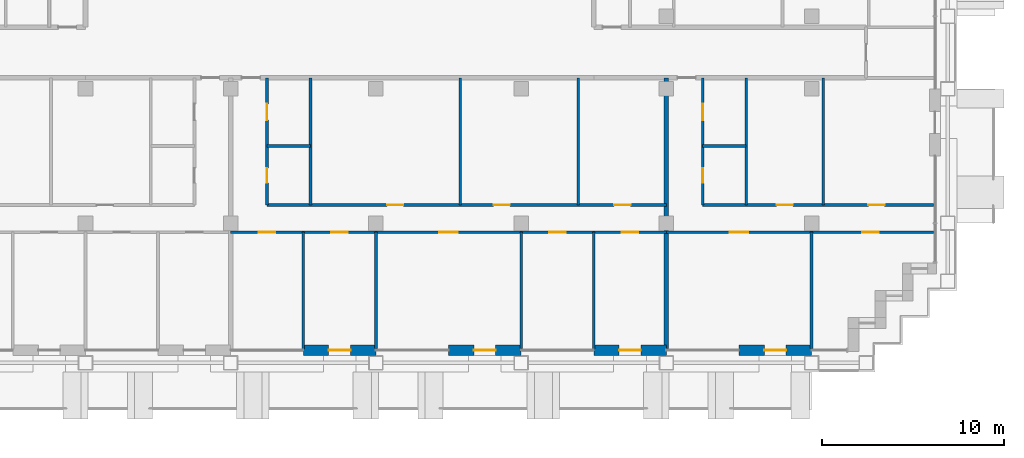
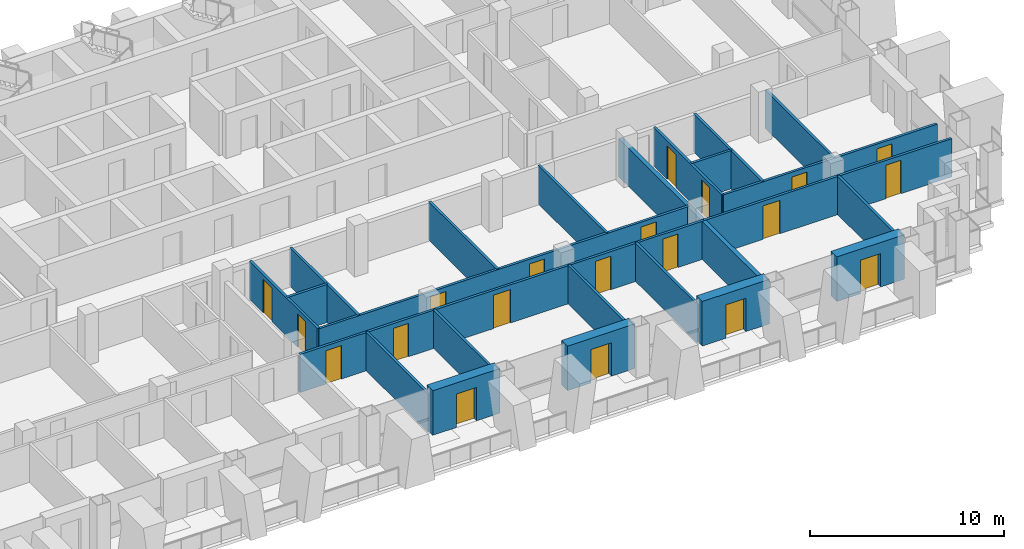
# One storey, part 9 of 17: 23 walls, 20 doors, 20 openings.
"""IFC4 building model written with IfcOpenShell, lengths in metres."""

from ifc_helpers import new_model, si_unit, direction, frame, frame_2d, origin, place, context, subcontext, project, spatial, rectangle, extrude, material, layer, layer_set, type_object, element, fill, save


model = new_model("IFC4")

# Units and contexts
model_context = context("Model", 3, precision=1e-05, world=origin(), true_north=direction((0.0, 1.0)))
body_context = subcontext(model_context, "Body", "Model", "MODEL_VIEW")
ifc_project = project(units=[si_unit("LENGTHUNIT", "METRE"), si_unit("AREAUNIT", "SQUARE_METRE"), si_unit("VOLUMEUNIT", "CUBIC_METRE"), si_unit("PLANEANGLEUNIT", "RADIAN"), si_unit("MASSUNIT", "GRAM", prefix="KILO")], contexts=[model_context])

# Site, building, storey
site_placement = place(None, origin())
site = spatial("IfcSite", under=ifc_project, at=site_placement, CompositionType="ELEMENT")
building_placement = place(site_placement, origin())
building = spatial("IfcBuilding", under=site, at=building_placement, Name="Vidyagriha Tower", CompositionType="ELEMENT")
storey_placement = place(building_placement, frame((0.0, 0.0, 148.60009765625)))
storey = spatial("IfcBuildingStorey", under=building, at=storey_placement, Name="L39", CompositionType="ELEMENT", Elevation=148.60009765625)

# Wall, opening, door
ifc_material_1 = material(Name="Precast concrete C40/50 with brick facing", Category="concrete")
ifc_layer_1 = layer(ifc_material_1, 0.60009765625)
ifc_layer_set_1 = layer_set([ifc_layer_1], Name="Precast concrete C40/50 with brick facing")
wall_type_1 = type_object("IfcWallType", Name="Brick-faced precast wall 600", PredefinedType="STANDARD", material=ifc_layer_set_1)
wall_1_placement = place(storey_placement, frame((-2.0, -16.39990234375, 0.0)))
wall_1 = element("IfcWall", 1, at=wall_1_placement, inside=storey, type_object=wall_type_1, Name="Brick door bay wall L39 R23.8", PredefinedType="STANDARD", context=body_context, shape_type="SweptSolid", body=[
    extrude(rectangle(XDim=4.0, YDim=0.60009765625, at=frame_2d((2.0, 0.0))), origin(), (0.0, 0.0, 1.0), 2.7998046875),
])
opening_1_placement = place(wall_1_placement, frame((1.39990234375, 0.0, 0.0)))
opening_1 = element("IfcOpeningElement", 2, at=opening_1_placement, cuts=wall_1, Name="Opening D39-71", PredefinedType="OPENING", context=body_context, shape_type="SweptSolid", body=[
    extrude(rectangle(XDim=1.199951171875, YDim=2.10009765625, at=frame_2d((0.60009765625, 1.050048828125))), frame((0.0, 0.31005859375, 0.0), z_axis=(0.0, -1.0, 0.0), x_axis=(1.0, 0.0, 0.0)), (0.0, 0.0, 1.0), 0.6201171875),
])
ifc_material_2 = material(Name="Aluminium framed glazed sliding door", Category="aluminium")
door_type_1 = type_object("IfcDoorType", Name="Balcony sliding door 1200x2100", OperationType="NOTDEFINED", PredefinedType="DOOR", material=ifc_material_2)
door_1_placement = place(opening_1_placement, origin())
door_1 = element("IfcDoor", 3, at=door_1_placement, inside=storey, type_object=door_type_1, Name="Door D39-71", OperationType="SLIDING_TO_LEFT", OverallHeight=2.10009765625, OverallWidth=1.199951171875, PredefinedType="DOOR", context=body_context, shape_type="SweptSolid", body=[
    extrude(rectangle(XDim=1.199951171875, YDim=2.10009765625, at=frame_2d((0.60009765625, 1.050048828125))), frame((0.0, 0.02490234375, 0.0), z_axis=(0.0, -1.0, 0.0), x_axis=(1.0, 0.0, 0.0)), (0.0, 0.0, 1.0), 0.050048828125),
])
fill(opening_1, door_1)

wall_2_placement = place(storey_placement, frame((6.0, -16.39990234375, 0.0)))
wall_2 = element("IfcWall", 4, at=wall_2_placement, inside=storey, type_object=wall_type_1, Name="Brick door bay wall L39 R23.10", PredefinedType="STANDARD", context=body_context, shape_type="SweptSolid", body=[
    extrude(rectangle(XDim=4.0, YDim=0.60009765625, at=frame_2d((2.0, 0.0))), origin(), (0.0, 0.0, 1.0), 2.7998046875),
])
opening_2_placement = place(wall_2_placement, frame((1.39990234375, 0.0, 0.0)))
opening_2 = element("IfcOpeningElement", 5, at=opening_2_placement, cuts=wall_2, Name="Opening D39-72", PredefinedType="OPENING", context=body_context, shape_type="SweptSolid", body=[
    extrude(rectangle(XDim=1.199951171875, YDim=2.10009765625, at=frame_2d((0.60009765625, 1.050048828125))), frame((0.0, 0.31005859375, 0.0), z_axis=(0.0, -1.0, 0.0), x_axis=(1.0, 0.0, 0.0)), (0.0, 0.0, 1.0), 0.6201171875),
])
door_2_placement = place(opening_2_placement, origin())
door_2 = element("IfcDoor", 6, at=door_2_placement, inside=storey, type_object=door_type_1, Name="Door D39-72", OperationType="SLIDING_TO_LEFT", OverallHeight=2.10009765625, OverallWidth=1.199951171875, PredefinedType="DOOR", context=body_context, shape_type="SweptSolid", body=[
    extrude(rectangle(XDim=1.199951171875, YDim=2.10009765625, at=frame_2d((0.60009765625, 1.050048828125))), frame((0.0, 0.02490234375, 0.0), z_axis=(0.0, -1.0, 0.0), x_axis=(1.0, 0.0, 0.0)), (0.0, 0.0, 1.0), 0.050048828125),
])
fill(opening_2, door_2)

wall_3_placement = place(storey_placement, frame((14.0, -16.39990234375, 0.0)))
wall_3 = element("IfcWall", 7, at=wall_3_placement, inside=storey, type_object=wall_type_1, Name="Brick door bay wall L39 R23.12", PredefinedType="STANDARD", context=body_context, shape_type="SweptSolid", body=[
    extrude(rectangle(XDim=4.0, YDim=0.60009765625, at=frame_2d((2.0, 0.0))), origin(), (0.0, 0.0, 1.0), 2.7998046875),
])
opening_3_placement = place(wall_3_placement, frame((1.39990234375, 0.0, 0.0)))
opening_3 = element("IfcOpeningElement", 8, at=opening_3_placement, cuts=wall_3, Name="Opening D39-73", PredefinedType="OPENING", context=body_context, shape_type="SweptSolid", body=[
    extrude(rectangle(XDim=1.199951171875, YDim=2.10009765625, at=frame_2d((0.60009765625, 1.050048828125))), frame((0.0, 0.31005859375, 0.0), z_axis=(0.0, -1.0, 0.0), x_axis=(1.0, 0.0, 0.0)), (0.0, 0.0, 1.0), 0.6201171875),
])
door_3_placement = place(opening_3_placement, origin())
door_3 = element("IfcDoor", 9, at=door_3_placement, inside=storey, type_object=door_type_1, Name="Door D39-73", OperationType="SLIDING_TO_LEFT", OverallHeight=2.10009765625, OverallWidth=1.199951171875, PredefinedType="DOOR", context=body_context, shape_type="SweptSolid", body=[
    extrude(rectangle(XDim=1.199951171875, YDim=2.10009765625, at=frame_2d((0.60009765625, 1.050048828125))), frame((0.0, 0.02490234375, 0.0), z_axis=(0.0, -1.0, 0.0), x_axis=(1.0, 0.0, 0.0)), (0.0, 0.0, 1.0), 0.050048828125),
])
fill(opening_3, door_3)

wall_4_placement = place(storey_placement, frame((22.0, -16.39990234375, 0.0)))
wall_4 = element("IfcWall", 10, at=wall_4_placement, inside=storey, type_object=wall_type_1, Name="Brick door bay wall L39 R23.14", PredefinedType="STANDARD", context=body_context, shape_type="SweptSolid", body=[
    extrude(rectangle(XDim=4.0, YDim=0.60009765625, at=frame_2d((2.0, 0.0))), origin(), (0.0, 0.0, 1.0), 2.7998046875),
])
opening_4_placement = place(wall_4_placement, frame((1.39990234375, 0.0, 0.0)))
opening_4 = element("IfcOpeningElement", 11, at=opening_4_placement, cuts=wall_4, Name="Opening D39-74", PredefinedType="OPENING", context=body_context, shape_type="SweptSolid", body=[
    extrude(rectangle(XDim=1.199951171875, YDim=2.10009765625, at=frame_2d((0.60009765625, 1.050048828125))), frame((0.0, 0.31005859375, 0.0), z_axis=(0.0, -1.0, 0.0), x_axis=(1.0, 0.0, 0.0)), (0.0, 0.0, 1.0), 0.6201171875),
])
door_4_placement = place(opening_4_placement, origin())
door_4 = element("IfcDoor", 12, at=door_4_placement, inside=storey, type_object=door_type_1, Name="Door D39-74", OperationType="SLIDING_TO_LEFT", OverallHeight=2.10009765625, OverallWidth=1.199951171875, PredefinedType="DOOR", context=body_context, shape_type="SweptSolid", body=[
    extrude(rectangle(XDim=1.199951171875, YDim=2.10009765625, at=frame_2d((0.60009765625, 1.050048828125))), frame((0.0, 0.02490234375, 0.0), z_axis=(0.0, -1.0, 0.0), x_axis=(1.0, 0.0, 0.0)), (0.0, 0.0, 1.0), 0.050048828125),
])
fill(opening_4, door_4)

# Walls
ifc_material_3 = material(Name="Fired clay brick masonry", Category="masonry")
ifc_layer_2 = layer(ifc_material_3, 0.25)
ifc_layer_set_2 = layer_set([ifc_layer_2], Name="Fired clay brick masonry")
wall_type_2 = type_object("IfcWallType", Name="Fired clay brick demising wall 250", PredefinedType="PARTITIONING", material=ifc_layer_set_2)
wall_5_placement = place(storey_placement, frame((18.0, -1.39990234375, 0.0), z_axis=(0.0, 0.0, 1.0), x_axis=(0.0, -1.0, 0.0)))
element("IfcWall", 13, at=wall_5_placement, inside=storey, type_object=wall_type_2, Name="Wall all-L39-w060", PredefinedType="PARTITIONING", context=body_context, shape_type="SweptSolid", body=[
    extrude(rectangle(XDim=14.91015625, YDim=0.25, at=frame_2d((7.455078125, 0.0))), origin(), (0.0, 0.0, 1.0), 2.39990234375),
])
ifc_material_4 = material(Name="Gypsum board partition")
ifc_layer_3 = layer(ifc_material_4, 0.14990234375)
ifc_layer_set_3 = layer_set([ifc_layer_3], Name="Gypsum board partition")
wall_type_3 = type_object("IfcWallType", Name="Gypsum board partition 150", PredefinedType="PARTITIONING", material=ifc_layer_set_3)
wall_6_placement = place(storey_placement, frame((-1.60009765625, -5.14990234375, 0.0), z_axis=(0.0, 0.0, 1.0), x_axis=(-1.0, 0.0, 0.0)))
element("IfcWall", 14, at=wall_6_placement, inside=storey, type_object=wall_type_3, Name="Wall all-L39-w026", PredefinedType="PARTITIONING", context=body_context, shape_type="SweptSolid", body=[
    extrude(rectangle(XDim=2.39990234375, YDim=0.14990234375, at=frame_2d((1.199951171875, 0.0))), origin(), (0.0, 0.0, 1.0), 2.39990234375),
])
for number, where, z_axis, x_axis, name in (
    (15, (-1.60009765625, -1.39990234375, 0.0), (0.0, 0.0, 1.0), (0.0, -1.0, 0.0), "Wall all-L39-w027"),
    (16, (6.64990234375, -1.39990234375, 0.0), (0.0, 0.0, 1.0), (0.0, -1.0, 0.0), "Wall all-L39-w028"),
    (17, (13.14990234375, -1.39990234375, 0.0), (0.0, 0.0, 1.0), (0.0, -1.0, 0.0), "Wall all-L39-w029"),
):
    element("IfcWall", number, at=place(storey_placement, frame(where, z_axis=z_axis, x_axis=x_axis)), inside=storey, type_object=wall_type_3, Name=name, PredefinedType="PARTITIONING", context=body_context, shape_type="SweptSolid", body=[
        extrude(rectangle(XDim=7.0, YDim=0.14990234375, at=frame_2d((3.5, 0.0))), origin(), (0.0, 0.0, 1.0), 2.39990234375),
    ])

# Wall, openings, doors
wall_7_placement = place(storey_placement, frame((-4.0, -8.39990234375, 0.0)))
wall_7 = element("IfcWall", 18, at=wall_7_placement, inside=storey, type_object=wall_type_3, Name="Wall all-L39-w030", PredefinedType="PARTITIONING", context=body_context, shape_type="SweptSolid", body=[
    extrude(rectangle(XDim=22.0, YDim=0.14990234375, at=frame_2d((11.0, 0.0))), origin(), (0.0, 0.0, 1.0), 2.39990234375),
])
opening_5_placement = place(wall_7_placement, frame((6.617919921875, 0.0, 0.0)))
opening_5 = element("IfcOpeningElement", 19, at=opening_5_placement, cuts=wall_7, Name="Opening D39-27", PredefinedType="OPENING", context=body_context, shape_type="SweptSolid", body=[
    extrude(rectangle(XDim=0.89990234375, YDim=2.10009765625, at=frame_2d((0.449951171875, 1.050048828125))), frame((0.0, 0.0849609375, 0.0), z_axis=(0.0, -1.0, 0.0), x_axis=(1.0, 0.0, 0.0)), (0.0, 0.0, 1.0), 0.169921875),
])
opening_6_placement = place(wall_7_placement, frame((12.48193359375, 0.0, 0.0)))
opening_6 = element("IfcOpeningElement", 20, at=opening_6_placement, cuts=wall_7, Name="Opening D39-28", PredefinedType="OPENING", context=body_context, shape_type="SweptSolid", body=[
    extrude(rectangle(XDim=0.89990234375, YDim=2.10009765625, at=frame_2d((0.449951171875, 1.050048828125))), frame((0.0, 0.0849609375, 0.0), z_axis=(0.0, -1.0, 0.0), x_axis=(1.0, 0.0, 0.0)), (0.0, 0.0, 1.0), 0.169921875),
])
opening_7_placement = place(wall_7_placement, frame((19.125, 0.0, 0.0)))
opening_7 = element("IfcOpeningElement", 21, at=opening_7_placement, cuts=wall_7, Name="Opening D39-29", PredefinedType="OPENING", context=body_context, shape_type="SweptSolid", body=[
    extrude(rectangle(XDim=0.89990234375, YDim=2.10009765625, at=frame_2d((0.449951171875, 1.050048828125))), frame((0.0, 0.0849609375, 0.0), z_axis=(0.0, -1.0, 0.0), x_axis=(1.0, 0.0, 0.0)), (0.0, 0.0, 1.0), 0.169921875),
])
ifc_material_5 = material(Name="Timber door leaf", Category="wood")
door_type_2 = type_object("IfcDoorType", Name="Room door 900x2100", OperationType="NOTDEFINED", PredefinedType="DOOR", material=ifc_material_5)
door_5_placement = place(opening_5_placement, origin())
door_5 = element("IfcDoor", 22, at=door_5_placement, inside=storey, type_object=door_type_2, Name="Door D39-27", OperationType="SINGLE_SWING_RIGHT", OverallHeight=2.10009765625, OverallWidth=0.89990234375, PredefinedType="DOOR", context=body_context, shape_type="SweptSolid", body=[
    extrude(rectangle(XDim=0.89990234375, YDim=2.10009765625, at=frame_2d((0.449951171875, 1.050048828125))), frame((0.0, 0.02490234375, 0.0), z_axis=(0.0, -1.0, 0.0), x_axis=(1.0, 0.0, 0.0)), (0.0, 0.0, 1.0), 0.050048828125),
])
fill(opening_5, door_5)
door_6_placement = place(opening_6_placement, origin())
door_6 = element("IfcDoor", 23, at=door_6_placement, inside=storey, type_object=door_type_2, Name="Door D39-28", OperationType="SINGLE_SWING_LEFT", OverallHeight=2.10009765625, OverallWidth=0.89990234375, PredefinedType="DOOR", context=body_context, shape_type="SweptSolid", body=[
    extrude(rectangle(XDim=0.89990234375, YDim=2.10009765625, at=frame_2d((0.449951171875, 1.050048828125))), frame((0.0, 0.02490234375, 0.0), z_axis=(0.0, -1.0, 0.0), x_axis=(1.0, 0.0, 0.0)), (0.0, 0.0, 1.0), 0.050048828125),
])
fill(opening_6, door_6)
door_7_placement = place(opening_7_placement, origin())
door_7 = element("IfcDoor", 24, at=door_7_placement, inside=storey, type_object=door_type_2, Name="Door D39-29", OperationType="SINGLE_SWING_LEFT", OverallHeight=2.10009765625, OverallWidth=0.89990234375, PredefinedType="DOOR", context=body_context, shape_type="SweptSolid", body=[
    extrude(rectangle(XDim=0.89990234375, YDim=2.10009765625, at=frame_2d((0.449951171875, 1.050048828125))), frame((0.0, 0.02490234375, 0.0), z_axis=(0.0, -1.0, 0.0), x_axis=(1.0, 0.0, 0.0)), (0.0, 0.0, 1.0), 0.050048828125),
])
fill(opening_7, door_7)

wall_8_placement = place(storey_placement, frame((18.0, -9.89990234375, 0.0), z_axis=(0.0, 0.0, 1.0), x_axis=(-1.0, 0.0, 0.0)))
wall_8 = element("IfcWall", 25, at=wall_8_placement, inside=storey, type_object=wall_type_3, Name="Wall all-L39-w034", PredefinedType="PARTITIONING", context=body_context, shape_type="SweptSolid", body=[
    extrude(rectangle(XDim=24.0, YDim=0.14990234375, at=frame_2d((12.0, 0.0))), origin(), (0.0, 0.0, 1.0), 2.39990234375),
])
opening_8_placement = place(wall_8_placement, frame((21.550048828125, 0.0, 0.0)))
opening_8 = element("IfcOpeningElement", 26, at=opening_8_placement, cuts=wall_8, Name="Opening D39-30", PredefinedType="OPENING", context=body_context, shape_type="SweptSolid", body=[
    extrude(rectangle(XDim=0.89990234375, YDim=2.10009765625, at=frame_2d((0.449951171875, 1.050048828125))), frame((0.0, 0.0849609375, 0.0), z_axis=(0.0, -1.0, 0.0), x_axis=(1.0, 0.0, 0.0)), (0.0, 0.0, 1.0), 0.169921875),
])
opening_9_placement = place(wall_8_placement, frame((17.550048828125, 0.0, 0.0)))
opening_9 = element("IfcOpeningElement", 27, at=opening_9_placement, cuts=wall_8, Name="Opening D39-31", PredefinedType="OPENING", context=body_context, shape_type="SweptSolid", body=[
    extrude(rectangle(XDim=0.89990234375, YDim=2.10009765625, at=frame_2d((0.449951171875, 1.050048828125))), frame((0.0, 0.0849609375, 0.0), z_axis=(0.0, -1.0, 0.0), x_axis=(1.0, 0.0, 0.0)), (0.0, 0.0, 1.0), 0.169921875),
])
opening_10_placement = place(wall_8_placement, frame((11.5, 0.0, 0.0)))
opening_10 = element("IfcOpeningElement", 28, at=opening_10_placement, cuts=wall_8, Name="Opening D39-32", PredefinedType="OPENING", context=body_context, shape_type="SweptSolid", body=[
    extrude(rectangle(XDim=1.0, YDim=2.10009765625, at=frame_2d((0.5, 1.050048828125))), frame((0.0, 0.0849609375, 0.0), z_axis=(0.0, -1.0, 0.0), x_axis=(1.0, 0.0, 0.0)), (0.0, 0.0, 1.0), 0.169921875),
])
opening_11_placement = place(wall_8_placement, frame((5.550048828125, 0.0, 0.0)))
opening_11 = element("IfcOpeningElement", 29, at=opening_11_placement, cuts=wall_8, Name="Opening D39-33", PredefinedType="OPENING", context=body_context, shape_type="SweptSolid", body=[
    extrude(rectangle(XDim=0.89990234375, YDim=2.10009765625, at=frame_2d((0.449951171875, 1.050048828125))), frame((0.0, 0.0849609375, 0.0), z_axis=(0.0, -1.0, 0.0), x_axis=(1.0, 0.0, 0.0)), (0.0, 0.0, 1.0), 0.169921875),
])
opening_12_placement = place(wall_8_placement, frame((1.550048828125, 0.0, 0.0)))
opening_12 = element("IfcOpeningElement", 30, at=opening_12_placement, cuts=wall_8, Name="Opening D39-34", PredefinedType="OPENING", context=body_context, shape_type="SweptSolid", body=[
    extrude(rectangle(XDim=0.89990234375, YDim=2.10009765625, at=frame_2d((0.449951171875, 1.050048828125))), frame((0.0, 0.0849609375, 0.0), z_axis=(0.0, -1.0, 0.0), x_axis=(1.0, 0.0, 0.0)), (0.0, 0.0, 1.0), 0.169921875),
])
ifc_material_6 = material(Name="Timber door leaf", Category="wood")
door_type_3 = type_object("IfcDoorType", Name="Room door 1000x2100", OperationType="NOTDEFINED", PredefinedType="DOOR", material=ifc_material_6)
door_8_placement = place(opening_10_placement, origin())
door_8 = element("IfcDoor", 31, at=door_8_placement, inside=storey, type_object=door_type_3, Name="Door D39-32", OperationType="SINGLE_SWING_RIGHT", OverallHeight=2.10009765625, OverallWidth=1.0, PredefinedType="DOOR", context=body_context, shape_type="SweptSolid", body=[
    extrude(rectangle(XDim=1.0, YDim=2.10009765625, at=frame_2d((0.5, 1.050048828125))), frame((0.0, 0.02490234375, 0.0), z_axis=(0.0, -1.0, 0.0), x_axis=(1.0, 0.0, 0.0)), (0.0, 0.0, 1.0), 0.050048828125),
])
fill(opening_10, door_8)
door_9_placement = place(opening_8_placement, origin())
door_9 = element("IfcDoor", 32, at=door_9_placement, inside=storey, type_object=door_type_2, Name="Door D39-30", OperationType="SINGLE_SWING_RIGHT", OverallHeight=2.10009765625, OverallWidth=0.89990234375, PredefinedType="DOOR", context=body_context, shape_type="SweptSolid", body=[
    extrude(rectangle(XDim=0.89990234375, YDim=2.10009765625, at=frame_2d((0.449951171875, 1.050048828125))), frame((0.0, 0.02490234375, 0.0), z_axis=(0.0, -1.0, 0.0), x_axis=(1.0, 0.0, 0.0)), (0.0, 0.0, 1.0), 0.050048828125),
])
fill(opening_8, door_9)
door_10_placement = place(opening_9_placement, origin())
door_10 = element("IfcDoor", 33, at=door_10_placement, inside=storey, type_object=door_type_2, Name="Door D39-31", OperationType="SINGLE_SWING_RIGHT", OverallHeight=2.10009765625, OverallWidth=0.89990234375, PredefinedType="DOOR", context=body_context, shape_type="SweptSolid", body=[
    extrude(rectangle(XDim=0.89990234375, YDim=2.10009765625, at=frame_2d((0.449951171875, 1.050048828125))), frame((0.0, 0.02490234375, 0.0), z_axis=(0.0, -1.0, 0.0), x_axis=(1.0, 0.0, 0.0)), (0.0, 0.0, 1.0), 0.050048828125),
])
fill(opening_9, door_10)
door_11_placement = place(opening_11_placement, origin())
door_11 = element("IfcDoor", 34, at=door_11_placement, inside=storey, type_object=door_type_2, Name="Door D39-33", OperationType="SINGLE_SWING_RIGHT", OverallHeight=2.10009765625, OverallWidth=0.89990234375, PredefinedType="DOOR", context=body_context, shape_type="SweptSolid", body=[
    extrude(rectangle(XDim=0.89990234375, YDim=2.10009765625, at=frame_2d((0.449951171875, 1.050048828125))), frame((0.0, 0.02490234375, 0.0), z_axis=(0.0, -1.0, 0.0), x_axis=(1.0, 0.0, 0.0)), (0.0, 0.0, 1.0), 0.050048828125),
])
fill(opening_11, door_11)
door_12_placement = place(opening_12_placement, origin())
door_12 = element("IfcDoor", 35, at=door_12_placement, inside=storey, type_object=door_type_2, Name="Door D39-34", OperationType="SINGLE_SWING_RIGHT", OverallHeight=2.10009765625, OverallWidth=0.89990234375, PredefinedType="DOOR", context=body_context, shape_type="SweptSolid", body=[
    extrude(rectangle(XDim=0.89990234375, YDim=2.10009765625, at=frame_2d((0.449951171875, 1.050048828125))), frame((0.0, 0.02490234375, 0.0), z_axis=(0.0, -1.0, 0.0), x_axis=(1.0, 0.0, 0.0)), (0.0, 0.0, 1.0), 0.050048828125),
])
fill(opening_12, door_12)

# Walls
wall_9_placement = place(storey_placement, frame((-2.0, -9.89990234375, 0.0), z_axis=(0.0, 0.0, 1.0), x_axis=(0.0, -1.0, 0.0)))
element("IfcWall", 36, at=wall_9_placement, inside=storey, type_object=wall_type_3, Name="Wall all-L39-w040", PredefinedType="PARTITIONING", context=body_context, shape_type="SweptSolid", body=[
    extrude(rectangle(XDim=6.421142578125, YDim=0.14990234375, at=frame_2d((3.21044921875, 0.0))), origin(), (0.0, 0.0, 1.0), 2.39990234375),
])
for number, where, z_axis, x_axis, name in (
    (37, (2.0, -9.89990234375, 0.0), (0.0, 0.0, 1.0), (0.0, -1.0, 0.0), "Wall all-L39-w041"),
    (38, (10.0, -9.89990234375, 0.0), (0.0, 0.0, 1.0), (0.0, -1.0, 0.0), "Wall all-L39-w042"),
):
    element("IfcWall", number, at=place(storey_placement, frame(where, z_axis=z_axis, x_axis=x_axis)), inside=storey, type_object=wall_type_3, Name=name, PredefinedType="PARTITIONING", context=body_context, shape_type="SweptSolid", body=[
        extrude(rectangle(XDim=6.41015625, YDim=0.14990234375, at=frame_2d((3.205078125, 0.0))), origin(), (0.0, 0.0, 1.0), 2.39990234375),
    ])
wall_10_placement = place(storey_placement, frame((14.0, -9.89990234375, 0.0), z_axis=(0.0, 0.0, 1.0), x_axis=(0.0, -1.0, 0.0)))
element("IfcWall", 39, at=wall_10_placement, inside=storey, type_object=wall_type_3, Name="Wall all-L39-w043", PredefinedType="PARTITIONING", context=body_context, shape_type="SweptSolid", body=[
    extrude(rectangle(XDim=6.421142578125, YDim=0.14990234375, at=frame_2d((3.21044921875, 0.0))), origin(), (0.0, 0.0, 1.0), 2.39990234375),
])
wall_11_placement = place(storey_placement, frame((22.39990234375, -5.14990234375, 0.0), z_axis=(0.0, 0.0, 1.0), x_axis=(-1.0, 0.0, 0.0)))
element("IfcWall", 40, at=wall_11_placement, inside=storey, type_object=wall_type_3, Name="Wall all-L39-w049", PredefinedType="PARTITIONING", context=body_context, shape_type="SweptSolid", body=[
    extrude(rectangle(XDim=2.39990234375, YDim=0.14990234375, at=frame_2d((1.199951171875, 0.0))), origin(), (0.0, 0.0, 1.0), 2.39990234375),
])
for number, where, z_axis, x_axis, name in (
    (41, (22.39990234375, -1.39990234375, 0.0), (0.0, 0.0, 1.0), (0.0, -1.0, 0.0), "Wall all-L39-w050"),
    (42, (26.64990234375, -1.39990234375, 0.0), (0.0, 0.0, 1.0), (0.0, -1.0, 0.0), "Wall all-L39-w051"),
):
    element("IfcWall", number, at=place(storey_placement, frame(where, z_axis=z_axis, x_axis=x_axis)), inside=storey, type_object=wall_type_3, Name=name, PredefinedType="PARTITIONING", context=body_context, shape_type="SweptSolid", body=[
        extrude(rectangle(XDim=7.0, YDim=0.14990234375, at=frame_2d((3.5, 0.0))), origin(), (0.0, 0.0, 1.0), 2.39990234375),
    ])

# Wall, openings, doors
wall_12_placement = place(storey_placement, frame((20.0, -8.39990234375, 0.0)))
wall_12 = element("IfcWall", 43, at=wall_12_placement, inside=storey, type_object=wall_type_3, Name="Wall all-L39-w052", PredefinedType="PARTITIONING", context=body_context, shape_type="SweptSolid", body=[
    extrude(rectangle(XDim=12.719970703125, YDim=0.14990234375, at=frame_2d((6.35986328125, 0.0))), origin(), (0.0, 0.0, 1.0), 2.39990234375),
])
opening_13_placement = place(wall_12_placement, frame((4.074951171875, 0.0, 0.0)))
opening_13 = element("IfcOpeningElement", 44, at=opening_13_placement, cuts=wall_12, Name="Opening D39-38", PredefinedType="OPENING", context=body_context, shape_type="SweptSolid", body=[
    extrude(rectangle(XDim=0.89990234375, YDim=2.10009765625, at=frame_2d((0.449951171875, 1.050048828125))), frame((0.0, 0.0849609375, 0.0), z_axis=(0.0, -1.0, 0.0), x_axis=(1.0, 0.0, 0.0)), (0.0, 0.0, 1.0), 0.169921875),
])
opening_14_placement = place(wall_12_placement, frame((9.125, 0.0, 0.0)))
opening_14 = element("IfcOpeningElement", 45, at=opening_14_placement, cuts=wall_12, Name="Opening D39-39", PredefinedType="OPENING", context=body_context, shape_type="SweptSolid", body=[
    extrude(rectangle(XDim=0.89990234375, YDim=2.10009765625, at=frame_2d((0.449951171875, 1.050048828125))), frame((0.0, 0.0849609375, 0.0), z_axis=(0.0, -1.0, 0.0), x_axis=(1.0, 0.0, 0.0)), (0.0, 0.0, 1.0), 0.169921875),
])
door_13_placement = place(opening_13_placement, origin())
door_13 = element("IfcDoor", 46, at=door_13_placement, inside=storey, type_object=door_type_2, Name="Door D39-38", OperationType="SINGLE_SWING_RIGHT", OverallHeight=2.10009765625, OverallWidth=0.89990234375, PredefinedType="DOOR", context=body_context, shape_type="SweptSolid", body=[
    extrude(rectangle(XDim=0.89990234375, YDim=2.10009765625, at=frame_2d((0.449951171875, 1.050048828125))), frame((0.0, 0.02490234375, 0.0), z_axis=(0.0, -1.0, 0.0), x_axis=(1.0, 0.0, 0.0)), (0.0, 0.0, 1.0), 0.050048828125),
])
fill(opening_13, door_13)
door_14_placement = place(opening_14_placement, origin())
door_14 = element("IfcDoor", 47, at=door_14_placement, inside=storey, type_object=door_type_2, Name="Door D39-39", OperationType="SINGLE_SWING_RIGHT", OverallHeight=2.10009765625, OverallWidth=0.89990234375, PredefinedType="DOOR", context=body_context, shape_type="SweptSolid", body=[
    extrude(rectangle(XDim=0.89990234375, YDim=2.10009765625, at=frame_2d((0.449951171875, 1.050048828125))), frame((0.0, 0.02490234375, 0.0), z_axis=(0.0, -1.0, 0.0), x_axis=(1.0, 0.0, 0.0)), (0.0, 0.0, 1.0), 0.050048828125),
])
fill(opening_14, door_14)

wall_13_placement = place(storey_placement, frame((32.719970703125, -9.89990234375, 0.0), z_axis=(0.0, 0.0, 1.0), x_axis=(-1.0, 0.0, 0.0)))
wall_13 = element("IfcWall", 48, at=wall_13_placement, inside=storey, type_object=wall_type_3, Name="Wall all-L39-w055", PredefinedType="PARTITIONING", context=body_context, shape_type="SweptSolid", body=[
    extrude(rectangle(XDim=14.719970703125, YDim=0.14990234375, at=frame_2d((7.35986328125, 0.0))), origin(), (0.0, 0.0, 1.0), 2.39990234375),
])
opening_15_placement = place(wall_13_placement, frame((10.219970703125, 0.0, 0.0)))
opening_15 = element("IfcOpeningElement", 49, at=opening_15_placement, cuts=wall_13, Name="Opening D39-40", PredefinedType="OPENING", context=body_context, shape_type="SweptSolid", body=[
    extrude(rectangle(XDim=1.0, YDim=2.10009765625, at=frame_2d((0.5, 1.050048828125))), frame((0.0, 0.0849609375, 0.0), z_axis=(0.0, -1.0, 0.0), x_axis=(1.0, 0.0, 0.0)), (0.0, 0.0, 1.0), 0.169921875),
])
opening_16_placement = place(wall_13_placement, frame((3.02001953125, 0.0, 0.0)))
opening_16 = element("IfcOpeningElement", 50, at=opening_16_placement, cuts=wall_13, Name="Opening D39-41", PredefinedType="OPENING", context=body_context, shape_type="SweptSolid", body=[
    extrude(rectangle(XDim=0.89990234375, YDim=2.10009765625, at=frame_2d((0.449951171875, 1.050048828125))), frame((0.0, 0.0849609375, 0.0), z_axis=(0.0, -1.0, 0.0), x_axis=(1.0, 0.0, 0.0)), (0.0, 0.0, 1.0), 0.169921875),
])
door_15_placement = place(opening_15_placement, origin())
door_15 = element("IfcDoor", 51, at=door_15_placement, inside=storey, type_object=door_type_3, Name="Door D39-40", OperationType="SINGLE_SWING_RIGHT", OverallHeight=2.10009765625, OverallWidth=1.0, PredefinedType="DOOR", context=body_context, shape_type="SweptSolid", body=[
    extrude(rectangle(XDim=1.0, YDim=2.10009765625, at=frame_2d((0.5, 1.050048828125))), frame((0.0, 0.02490234375, 0.0), z_axis=(0.0, -1.0, 0.0), x_axis=(1.0, 0.0, 0.0)), (0.0, 0.0, 1.0), 0.050048828125),
])
fill(opening_15, door_15)
door_16_placement = place(opening_16_placement, origin())
door_16 = element("IfcDoor", 52, at=door_16_placement, inside=storey, type_object=door_type_2, Name="Door D39-41", OperationType="SINGLE_SWING_RIGHT", OverallHeight=2.10009765625, OverallWidth=0.89990234375, PredefinedType="DOOR", context=body_context, shape_type="SweptSolid", body=[
    extrude(rectangle(XDim=0.89990234375, YDim=2.10009765625, at=frame_2d((0.449951171875, 1.050048828125))), frame((0.0, 0.02490234375, 0.0), z_axis=(0.0, -1.0, 0.0), x_axis=(1.0, 0.0, 0.0)), (0.0, 0.0, 1.0), 0.050048828125),
])
fill(opening_16, door_16)

# Wall
wall_14_placement = place(storey_placement, frame((26.0, -9.89990234375, 0.0), z_axis=(0.0, 0.0, 1.0), x_axis=(0.0, -1.0, 0.0)))
element("IfcWall", 53, at=wall_14_placement, inside=storey, type_object=wall_type_3, Name="Wall all-L39-w058", PredefinedType="PARTITIONING", context=body_context, shape_type="SweptSolid", body=[
    extrude(rectangle(XDim=6.41015625, YDim=0.14990234375, at=frame_2d((3.205078125, 0.0))), origin(), (0.0, 0.0, 1.0), 2.39990234375),
])

# Wall, openings, doors
ifc_material_7 = material(Name="Moisture resistant gypsum board partition")
ifc_layer_4 = layer(ifc_material_7, 0.14990234375)
ifc_layer_set_4 = layer_set([ifc_layer_4], Name="Moisture resistant gypsum board partition")
wall_type_4 = type_object("IfcWallType", Name="Gypsum board wet-area partition 150", PredefinedType="PARTITIONING", material=ifc_layer_set_4)
wall_15_placement = place(storey_placement, frame((-4.0, -1.39990234375, 0.0), z_axis=(0.0, 0.0, 1.0), x_axis=(0.0, -1.0, 0.0)))
wall_15 = element("IfcWall", 54, at=wall_15_placement, inside=storey, type_object=wall_type_4, Name="Wall all-L39-w023", PredefinedType="PARTITIONING", context=body_context, shape_type="SweptSolid", body=[
    extrude(rectangle(XDim=7.0, YDim=0.14990234375, at=frame_2d((3.5, 0.0))), origin(), (0.0, 0.0, 1.0), 2.39990234375),
])
opening_17_placement = place(wall_15_placement, frame((1.425048828125, 0.0, 0.0)))
opening_17 = element("IfcOpeningElement", 55, at=opening_17_placement, cuts=wall_15, Name="Opening D39-25", PredefinedType="OPENING", context=body_context, shape_type="SweptSolid", body=[
    extrude(rectangle(XDim=0.89990234375, YDim=2.10009765625, at=frame_2d((0.449951171875, 1.050048828125))), frame((0.0, 0.0849609375, 0.0), z_axis=(0.0, -1.0, 0.0), x_axis=(1.0, 0.0, 0.0)), (0.0, 0.0, 1.0), 0.169921875),
])
opening_18_placement = place(wall_15_placement, frame((4.97509765625, 0.0, 0.0)))
opening_18 = element("IfcOpeningElement", 56, at=opening_18_placement, cuts=wall_15, Name="Opening D39-26", PredefinedType="OPENING", context=body_context, shape_type="SweptSolid", body=[
    extrude(rectangle(XDim=0.800048828125, YDim=2.10009765625, at=frame_2d((0.39990234375, 1.050048828125))), frame((0.0, 0.0849609375, 0.0), z_axis=(0.0, -1.0, 0.0), x_axis=(1.0, 0.0, 0.0)), (0.0, 0.0, 1.0), 0.169921875),
])
ifc_material_8 = material(Name="Timber door leaf", Category="wood")
door_type_4 = type_object("IfcDoorType", Name="Bathroom door 800x2100", OperationType="NOTDEFINED", PredefinedType="DOOR", material=ifc_material_8)
door_17_placement = place(opening_18_placement, origin())
door_17 = element("IfcDoor", 57, at=door_17_placement, inside=storey, type_object=door_type_4, Name="Door D39-26", OperationType="SINGLE_SWING_RIGHT", OverallHeight=2.10009765625, OverallWidth=0.800048828125, PredefinedType="DOOR", context=body_context, shape_type="SweptSolid", body=[
    extrude(rectangle(XDim=0.800048828125, YDim=2.10009765625, at=frame_2d((0.39990234375, 1.050048828125))), frame((0.0, 0.02490234375, 0.0), z_axis=(0.0, -1.0, 0.0), x_axis=(1.0, 0.0, 0.0)), (0.0, 0.0, 1.0), 0.050048828125),
])
fill(opening_18, door_17)
ifc_material_9 = material(Name="Timber door leaf", Category="wood")
door_type_5 = type_object("IfcDoorType", Name="Kitchen door 900x2100", OperationType="NOTDEFINED", PredefinedType="DOOR", material=ifc_material_9)
door_18_placement = place(opening_17_placement, origin())
door_18 = element("IfcDoor", 58, at=door_18_placement, inside=storey, type_object=door_type_5, Name="Door D39-25", OperationType="SINGLE_SWING_LEFT", OverallHeight=2.10009765625, OverallWidth=0.89990234375, PredefinedType="DOOR", context=body_context, shape_type="SweptSolid", body=[
    extrude(rectangle(XDim=0.89990234375, YDim=2.10009765625, at=frame_2d((0.449951171875, 1.050048828125))), frame((0.0, 0.02490234375, 0.0), z_axis=(0.0, -1.0, 0.0), x_axis=(1.0, 0.0, 0.0)), (0.0, 0.0, 1.0), 0.050048828125),
])
fill(opening_17, door_18)

wall_16_placement = place(storey_placement, frame((20.0, -1.39990234375, 0.0), z_axis=(0.0, 0.0, 1.0), x_axis=(0.0, -1.0, 0.0)))
wall_16 = element("IfcWall", 59, at=wall_16_placement, inside=storey, type_object=wall_type_4, Name="Wall all-L39-w046", PredefinedType="PARTITIONING", context=body_context, shape_type="SweptSolid", body=[
    extrude(rectangle(XDim=7.0, YDim=0.14990234375, at=frame_2d((3.5, 0.0))), origin(), (0.0, 0.0, 1.0), 2.39990234375),
])
opening_19_placement = place(wall_16_placement, frame((1.425048828125, 0.0, 0.0)))
opening_19 = element("IfcOpeningElement", 60, at=opening_19_placement, cuts=wall_16, Name="Opening D39-36", PredefinedType="OPENING", context=body_context, shape_type="SweptSolid", body=[
    extrude(rectangle(XDim=0.89990234375, YDim=2.10009765625, at=frame_2d((0.449951171875, 1.050048828125))), frame((0.0, 0.0849609375, 0.0), z_axis=(0.0, -1.0, 0.0), x_axis=(1.0, 0.0, 0.0)), (0.0, 0.0, 1.0), 0.169921875),
])
opening_20_placement = place(wall_16_placement, frame((4.97509765625, 0.0, 0.0)))
opening_20 = element("IfcOpeningElement", 61, at=opening_20_placement, cuts=wall_16, Name="Opening D39-37", PredefinedType="OPENING", context=body_context, shape_type="SweptSolid", body=[
    extrude(rectangle(XDim=0.800048828125, YDim=2.10009765625, at=frame_2d((0.39990234375, 1.050048828125))), frame((0.0, 0.0849609375, 0.0), z_axis=(0.0, -1.0, 0.0), x_axis=(1.0, 0.0, 0.0)), (0.0, 0.0, 1.0), 0.169921875),
])
door_19_placement = place(opening_20_placement, origin())
door_19 = element("IfcDoor", 62, at=door_19_placement, inside=storey, type_object=door_type_4, Name="Door D39-37", OperationType="SINGLE_SWING_RIGHT", OverallHeight=2.10009765625, OverallWidth=0.800048828125, PredefinedType="DOOR", context=body_context, shape_type="SweptSolid", body=[
    extrude(rectangle(XDim=0.800048828125, YDim=2.10009765625, at=frame_2d((0.39990234375, 1.050048828125))), frame((0.0, 0.02490234375, 0.0), z_axis=(0.0, -1.0, 0.0), x_axis=(1.0, 0.0, 0.0)), (0.0, 0.0, 1.0), 0.050048828125),
])
fill(opening_20, door_19)
door_20_placement = place(opening_19_placement, origin())
door_20 = element("IfcDoor", 63, at=door_20_placement, inside=storey, type_object=door_type_5, Name="Door D39-36", OperationType="SINGLE_SWING_LEFT", OverallHeight=2.10009765625, OverallWidth=0.89990234375, PredefinedType="DOOR", context=body_context, shape_type="SweptSolid", body=[
    extrude(rectangle(XDim=0.89990234375, YDim=2.10009765625, at=frame_2d((0.449951171875, 1.050048828125))), frame((0.0, 0.02490234375, 0.0), z_axis=(0.0, -1.0, 0.0), x_axis=(1.0, 0.0, 0.0)), (0.0, 0.0, 1.0), 0.050048828125),
])
fill(opening_19, door_20)

save(model, "model.ifc")
